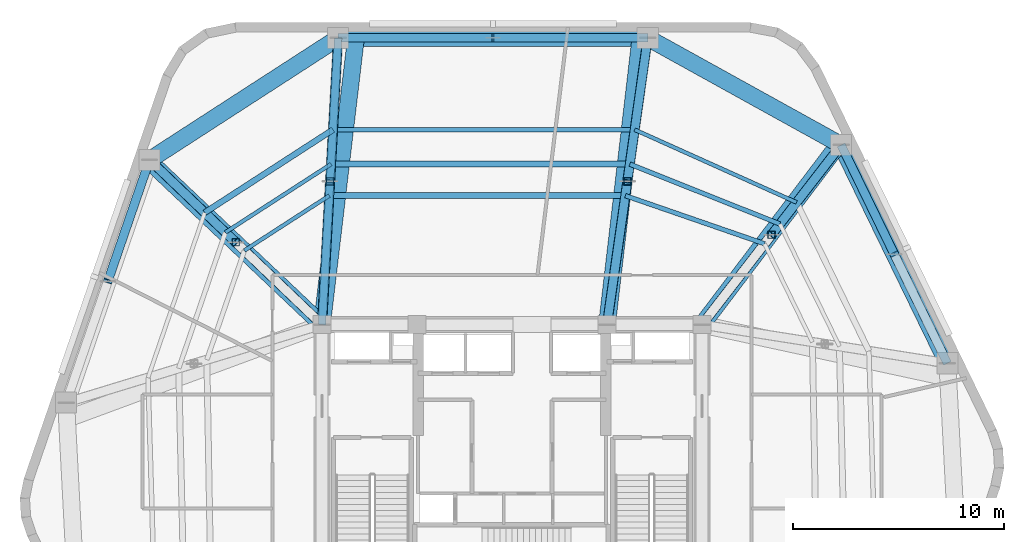
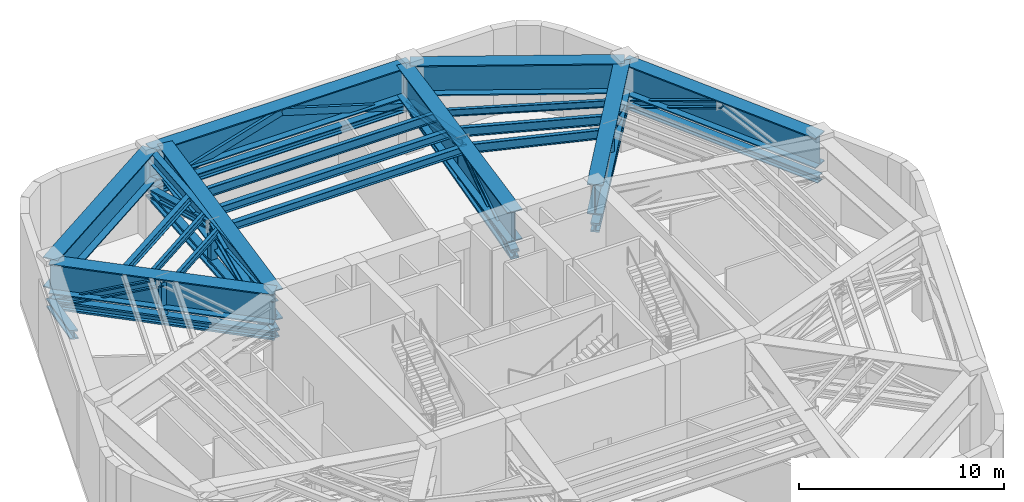
# One storey, part 4 of 10: 20 members, 18 beams.
"""IFC4 building model written with IfcOpenShell, lengths in metres."""

import ifcopenshell
import ifcopenshell.guid

model = None  # the IFC model being written
_history = None  # IfcOwnerHistory: only IFC2X3 demands one
_inside = {}  # id of a spatial element -> (the spatial element, [elements in it])
_under = {}  # id of a project, library or spatial element -> (it, [spatial elements below it])
_declared = {}  # id of a project -> (the project, [libraries it declares])
_typed = {}  # id of a type object -> (the type object, [elements of that type])
_made_of = {}  # id of a material, layer set ... -> (it, [elements and type objects made of it])


def new_model(schema):
    """Start an empty IFC model of exactly this schema.

    Asked for "IFC4X3", IfcOpenShell would pick the latest addendum, in which some entities
    have other attributes; the version numbers below select the first issue.
    IFC2X3 requires an IfcOwnerHistory on every rooted entity: one is made here for all.
    """
    global model, _history
    if schema == "IFC4X3":
        model = ifcopenshell.file(schema_version=(4, 3, 0, 0))
    else:
        model = ifcopenshell.file(schema=schema)
    _inside.clear()
    _under.clear()
    _declared.clear()
    _typed.clear()
    _made_of.clear()
    _history = None
    if model.schema == "IFC2X3":
        org = make("IfcOrganization", Name="unknown")
        user = make(
            "IfcPersonAndOrganization",
            ThePerson=make("IfcPerson", FamilyName="unknown"),
            TheOrganization=org,
        )
        app = make(
            "IfcApplication",
            ApplicationDeveloper=org,
            Version="unknown",
            ApplicationFullName="unknown",
            ApplicationIdentifier="unknown",
        )
        _history = make(
            "IfcOwnerHistory",
            OwningUser=user,
            OwningApplication=app,
            ChangeAction="ADDED",
            CreationDate=0,
        )
    return model


def make(cls, **values):
    """One entity of the class cls with the attributes given. An attribute that is None is left unset."""
    return model.create_entity(
        cls, **{name: value for name, value in values.items() if value is not None}
    )


def rooted(cls, **values):
    """An entity with a GlobalId (a new one), such as an element, a storey or a relation."""
    return make(cls, GlobalId=ifcopenshell.guid.new(), OwnerHistory=_history, **values)


def si_unit(unit_type, name, prefix=None):
    """IfcSIUnit, for example si_unit("LENGTHUNIT", "METRE", prefix="MILLI")."""
    return make("IfcSIUnit", UnitType=unit_type, Prefix=prefix, Name=name)


def assignment(units):
    """IfcUnitAssignment: the units of a project."""
    return None if units is None else make("IfcUnitAssignment", Units=units)


def point(xyz):
    """IfcCartesianPoint."""
    return None if xyz is None else make("IfcCartesianPoint", Coordinates=xyz)


def direction(xyz):
    """IfcDirection."""
    return None if xyz is None else make("IfcDirection", DirectionRatios=xyz)


def frame(location, z_axis=None, x_axis=None):
    """IfcAxis2Placement3D, a coordinate frame: its origin and axes. An axis left out is left unset."""
    return make(
        "IfcAxis2Placement3D",
        Location=point(location),
        Axis=direction(z_axis),
        RefDirection=direction(x_axis),
    )


def frame_2d(location, x_axis=None):
    """IfcAxis2Placement2D, a coordinate frame in the plane: its origin and x axis."""
    return make(
        "IfcAxis2Placement2D", Location=point(location), RefDirection=direction(x_axis)
    )


def origin():
    """The frame at (0, 0, 0) with its axes left unset."""
    return frame((0.0, 0.0, 0.0))


def origin_2d():
    """The frame at (0, 0) in the plane with its x axis left unset."""
    return frame_2d((0.0, 0.0))


def place(relative_to, where):
    """IfcLocalPlacement: puts the frame where relative to a parent placement (None: the world)."""
    return make(
        "IfcLocalPlacement", PlacementRelTo=relative_to, RelativePlacement=where
    )


def context(
    kind, dimensions, precision=None, world=None, true_north=None, identifier=None
):
    """IfcGeometricRepresentationContext, for example the 3D "Model" context."""
    return make(
        "IfcGeometricRepresentationContext",
        ContextIdentifier=identifier,
        ContextType=kind,
        CoordinateSpaceDimension=dimensions,
        Precision=precision,
        WorldCoordinateSystem=world,
        TrueNorth=true_north,
    )


def subcontext(parent, identifier, kind, view, scale=None):
    """IfcGeometricRepresentationSubContext, for example "Body" below "Model"."""
    return make(
        "IfcGeometricRepresentationSubContext",
        ContextIdentifier=identifier,
        ContextType=kind,
        ParentContext=parent,
        TargetScale=scale,
        TargetView=view,
    )


def project(units=None, contexts=None):
    """IfcProject with its units and contexts."""
    return rooted(
        "IfcProject",
        Name="project",
        RepresentationContexts=contexts,
        UnitsInContext=assignment(units),
    )


def spatial(cls, under=None, at=None, **own):
    """A site, building, storey or space (cls), placed at a placement, below another one or the project."""
    s = rooted(cls, ObjectPlacement=at, **own)
    if under is not None:
        _under.setdefault(under.id(), (under, []))[1].append(s)
    return s


def profile(cls, at=None, kind="AREA", **sizes):
    """A parametric profile (cls). Its sizes go by their IFC names, for example OverallWidth=200.0."""
    return make(cls, ProfileType=kind, Position=at, **sizes)


def hollow_rectangle(**sizes):
    """IfcRectangleHollowProfileDef."""
    return profile("IfcRectangleHollowProfileDef", **sizes)


def i_section(**sizes):
    """IfcIShapeProfileDef."""
    return profile("IfcIShapeProfileDef", **sizes)


def extrude(swept, where, along, depth):
    """IfcExtrudedAreaSolid: the profile swept, set in the frame where, extruded along a direction by depth."""
    return make(
        "IfcExtrudedAreaSolid",
        SweptArea=swept,
        Position=where,
        ExtrudedDirection=direction(along),
        Depth=depth,
    )


def shape(context_of_items, identifier, shape_type, items):
    """IfcShapeRepresentation: the items that make up one representation, for example the "Body"."""
    return make(
        "IfcShapeRepresentation",
        ContextOfItems=context_of_items,
        RepresentationIdentifier=identifier,
        RepresentationType=shape_type,
        Items=items,
    )


def material(Name=None, Category=None):
    """IfcMaterial."""
    return make("IfcMaterial", Name=Name, Category=Category)


def material_profile(
    of_material, cross_section, Name=None, Category=None, Priority=None
):
    """IfcMaterialProfile: a cross section and its material."""
    return make(
        "IfcMaterialProfile",
        Name=Name,
        Material=of_material,
        Profile=cross_section,
        Priority=Priority,
        Category=Category,
    )


def profile_set(profiles, Name=None, composite=None):
    """IfcMaterialProfileSet."""
    return make(
        "IfcMaterialProfileSet",
        Name=Name,
        MaterialProfiles=profiles,
        CompositeProfile=composite,
    )


def made_of(thing, what):
    """Note that an element or type object is made of a material, layer set ...; save() writes the relation."""
    if what is not None:
        _made_of.setdefault(what.id(), (what, []))[1].append(thing)
    return thing


def type_object(cls, material=None, **own):
    """A type object (cls), such as IfcWallType, which elements share."""
    return made_of(rooted(cls, **own), material)


def element(
    cls,
    number,
    at=None,
    inside=None,
    cuts=None,
    type_object=None,
    material=None,
    context=None,
    identifier="Body",
    shape_type=None,
    held_by="IfcProductDefinitionShape",
    body=None,
    shapes=None,
    **own,
):
    """One element of the class cls, such as IfcWall. Its Tag is "e" and its number.

    at: its placement. inside: the storey or other place that contains it. cuts: it is an
    opening in that element (IfcRelVoidsElement). A single representation is given by context,
    identifier, shape_type and body (its items); several are given by shapes. held_by: the class
    of the entity that holds the representations. save() writes the other relations.
    """
    e = rooted(cls, Tag="e%d" % number, ObjectPlacement=at, **own)
    if body is not None:
        shapes = [shape(context, identifier, shape_type, body)]
    if shapes is not None:
        e.Representation = make(held_by, Representations=shapes)
    if inside is not None:
        _inside.setdefault(inside.id(), (inside, []))[1].append(e)
    if cuts is not None:
        rooted(
            "IfcRelVoidsElement", RelatingBuildingElement=cuts, RelatedOpeningElement=e
        )
    if type_object is not None:
        _typed.setdefault(type_object.id(), (type_object, []))[1].append(e)
    return made_of(e, material)


def aggregate(whole, parts):
    """IfcRelAggregates: a whole, such as a stair, and the parts it consists of."""
    return rooted("IfcRelAggregates", RelatingObject=whole, RelatedObjects=parts)


def save(model, path):
    """Write the relations noted so far, then the file.

    IfcRelAggregates (storeys below a building ...), IfcRelContainedInSpatialStructure (elements
    in a storey), IfcRelDefinesByType, IfcRelAssociatesMaterial and IfcRelDeclares: one each for
    every whole, place, type object, material and project.
    """
    for whole, parts in _under.values():
        aggregate(whole, parts)
    for where, things in _inside.values():
        rooted(
            "IfcRelContainedInSpatialStructure",
            RelatedElements=things,
            RelatingStructure=where,
        )
    for kind, things in _typed.values():
        rooted("IfcRelDefinesByType", RelatedObjects=things, RelatingType=kind)
    for what, things in _made_of.values():
        rooted("IfcRelAssociatesMaterial", RelatedObjects=things, RelatingMaterial=what)
    for by, libraries in _declared.values():
        rooted("IfcRelDeclares", RelatingContext=by, RelatedDefinitions=libraries)
    model.write(path)


model = new_model("IFC4")

# Units and contexts
model_context = context("Model", 3, precision=1e-05, world=origin(), true_north=direction((0.0, 1.0)))
body_context = subcontext(model_context, "Body", "Model", "MODEL_VIEW")
ifc_project = project(units=[si_unit("LENGTHUNIT", "METRE"), si_unit("AREAUNIT", "SQUARE_METRE"), si_unit("VOLUMEUNIT", "CUBIC_METRE"), si_unit("PLANEANGLEUNIT", "RADIAN"), si_unit("MASSUNIT", "GRAM", prefix="KILO")], contexts=[model_context])

# Site, building, storey
site_placement = place(None, origin())
site = spatial("IfcSite", under=ifc_project, at=site_placement, CompositionType="ELEMENT")
building_placement = place(site_placement, origin())
building = spatial("IfcBuilding", under=site, at=building_placement, Name="Kilnhurst Terrace Hotel", CompositionType="ELEMENT")
storey_placement = place(building_placement, frame((0.0, 0.0, 255.89990234375)))
storey = spatial("IfcBuildingStorey", under=building, at=storey_placement, Name="L64", CompositionType="ELEMENT", Elevation=255.89990234375)

# Beams
ifc_material_1 = material(Name="Steel ASTM A992 Grade 50", Category="steel")
ifc_material_profile_1 = material_profile(ifc_material_1, i_section(OverallWidth=0.354736328125, OverallDepth=0.695556640625, WebThickness=0.015380859375, FlangeThickness=0.025146484375, at=origin_2d()), Name="W27X146")
ifc_profile_set_1 = profile_set([ifc_material_profile_1], Name="Steel ASTM A992 Grade 50")
beam_type_1 = type_object("IfcBeamType", Name="BM-STL-W27X146", PredefinedType="BEAM", material=ifc_profile_set_1)
beam_1_placement = place(storey_placement, frame((-9.0, 7.5, 4.752197265625), z_axis=(0.056163905291, 0.998421562138, 0.0), x_axis=(-0.998421562138, 0.056163905291, 0.0)))
element("IfcBeam", 1, at=beam_1_placement, inside=storey, type_object=beam_type_1, Name="L64 Radial Floor Beam 8", PredefinedType="BEAM", context=body_context, shape_type="SweptSolid", body=[
    extrude(i_section(OverallWidth=0.354736328125, OverallDepth=0.695556640625, WebThickness=0.015380859375, FlangeThickness=0.025146484375, at=origin_2d()), origin(), (0.0, 0.0, 1.0), 13.6015625),
])
ifc_material_profile_2 = material_profile(ifc_material_1, i_section(OverallWidth=0.180908203125, OverallDepth=0.417236328125, WebThickness=0.010986328125, FlangeThickness=0.018310546875, at=origin_2d()), Name="W16X57")
ifc_profile_set_2 = profile_set([ifc_material_profile_2], Name="Steel ASTM A992 Grade 50")
beam_type_2 = type_object("IfcBeamType", Name="JST-STL-W16X57", PredefinedType="JOIST", material=ifc_profile_set_2)
beam_2_placement = place(storey_placement, frame((13.479248046875, 13.288818359375, 4.89111328125), z_axis=(-0.912120852375, 0.409921395713, 0.0), x_axis=(-0.409921395713, -0.912120852375, 0.0)))
element("IfcBeam", 2, at=beam_2_placement, inside=storey, type_object=beam_type_2, Name="L64 Secondary Floor Steel Joist OUT.6", PredefinedType="JOIST", context=body_context, shape_type="SweptSolid", body=[
    extrude(i_section(OverallWidth=0.180908203125, OverallDepth=0.417236328125, WebThickness=0.010986328125, FlangeThickness=0.018310546875, at=origin_2d()), origin(), (0.0, 0.0, 1.0), 8.405517578125),
])
beam_3_placement = place(storey_placement, frame((-8.65625, 13.611083984375, 4.89111328125), z_axis=(-0.839653632344, -0.543122249306, 0.0), x_axis=(0.543122249306, -0.839653632344, 0.0)))
element("IfcBeam", 3, at=beam_3_placement, inside=storey, type_object=beam_type_2, Name="L64 Secondary Floor Steel Joist IN.8", PredefinedType="JOIST", context=body_context, shape_type="SweptSolid", body=[
    extrude(i_section(OverallWidth=0.180908203125, OverallDepth=0.417236328125, WebThickness=0.010986328125, FlangeThickness=0.018310546875, at=origin_2d()), origin(), (0.0, 0.0, 1.0), 4.785888671875),
])
beam_4_placement = place(storey_placement, frame((-8.572265625, 15.104736328125, 4.89111328125), z_axis=(-0.83965813096, -0.543115294493, 0.0), x_axis=(0.543115294493, -0.83965813096, 0.0)))
element("IfcBeam", 4, at=beam_4_placement, inside=storey, type_object=beam_type_2, Name="L64 Secondary Floor Steel Joist MID.8", PredefinedType="JOIST", context=body_context, shape_type="SweptSolid", body=[
    extrude(i_section(OverallWidth=0.180908203125, OverallDepth=0.417236328125, WebThickness=0.010986328125, FlangeThickness=0.018310546875, at=origin_2d()), origin(), (0.0, 0.0, 1.0), 5.95556640625),
])
ifc_material_profile_3 = material_profile(ifc_material_1, i_section(OverallWidth=0.279296875, OverallDepth=0.462890625, WebThickness=0.0107421875, FlangeThickness=0.017333984375, at=origin_2d()), Name="W18X76")
ifc_profile_set_3 = profile_set([ifc_material_profile_3], Name="Steel ASTM A992 Grade 50")
beam_type_3 = type_object("IfcBeamType", Name="JST-STL-W18X76", PredefinedType="JOIST", material=ifc_profile_set_3)
beam_5_placement = place(storey_placement, frame((-8.48046875, 16.734375, 4.8681640625), z_axis=(-0.839667054453, -0.543101498494, 0.0), x_axis=(0.543101498494, -0.839667054453, 0.0)))
element("IfcBeam", 5, at=beam_5_placement, inside=storey, type_object=beam_type_3, Name="L64 Secondary Floor Steel Joist OUT.8", PredefinedType="JOIST", context=body_context, shape_type="SweptSolid", body=[
    extrude(i_section(OverallWidth=0.279296875, OverallDepth=0.462890625, WebThickness=0.0107421875, FlangeThickness=0.017333984375, at=origin_2d()), origin(), (0.0, 0.0, 1.0), 7.23193359375),
])
beam_6_placement = place(storey_placement, frame((5.368408203125, 13.611083984375, 4.8681640625), z_axis=(-1.0, 0.0, 0.0), x_axis=(0.0, -1.0, 0.0)))
element("IfcBeam", 6, at=beam_6_placement, inside=storey, type_object=beam_type_3, Name="L64 Secondary Floor Steel Joist IN.7", PredefinedType="JOIST", context=body_context, shape_type="SweptSolid", body=[
    extrude(i_section(OverallWidth=0.279296875, OverallDepth=0.462890625, WebThickness=0.0107421875, FlangeThickness=0.017333984375, at=origin_2d()), origin(), (0.0, 0.0, 1.0), 14.024658203125),
])
beam_7_placement = place(storey_placement, frame((5.580810546875, 15.104736328125, 4.8681640625), z_axis=(-1.0, 0.0, 0.0), x_axis=(0.0, -1.0, 0.0)))
element("IfcBeam", 7, at=beam_7_placement, inside=storey, type_object=beam_type_3, Name="L64 Secondary Floor Steel Joist MID.7", PredefinedType="JOIST", context=body_context, shape_type="SweptSolid", body=[
    extrude(i_section(OverallWidth=0.279296875, OverallDepth=0.462890625, WebThickness=0.0107421875, FlangeThickness=0.017333984375, at=origin_2d()), origin(), (0.0, 0.0, 1.0), 14.153076171875),
])
ifc_material_profile_4 = material_profile(ifc_material_1, i_section(OverallWidth=0.2138671875, OverallDepth=0.549072265625, WebThickness=0.0146484375, FlangeThickness=0.023681640625, at=origin_2d()), Name="W21X93")
ifc_profile_set_4 = profile_set([ifc_material_profile_4], Name="Steel ASTM A992 Grade 50")
beam_type_4 = type_object("IfcBeamType", Name="JST-STL-W21X93", PredefinedType="JOIST", material=ifc_profile_set_4)
beam_8_placement = place(storey_placement, frame((5.8125, 16.734375, 4.8251953125), z_axis=(-1.0, 0.0, 0.0), x_axis=(0.0, -1.0, 0.0)))
element("IfcBeam", 8, at=beam_8_placement, inside=storey, type_object=beam_type_4, Name="L64 Secondary Floor Steel Joist OUT.7", PredefinedType="JOIST", context=body_context, shape_type="SweptSolid", body=[
    extrude(i_section(OverallWidth=0.2138671875, OverallDepth=0.549072265625, WebThickness=0.0146484375, FlangeThickness=0.023681640625, at=origin_2d()), origin(), (0.0, 0.0, 1.0), 14.29296875),
])
beam_9_placement = place(storey_placement, frame((11.964111328125, 11.330810546875, 4.8251953125), z_axis=(-0.94511244231, 0.326745269884, 0.0), x_axis=(-0.326745269884, -0.94511244231, 0.0)))
element("IfcBeam", 9, at=beam_9_placement, inside=storey, type_object=beam_type_4, Name="L64 Secondary Floor Steel Joist IN.6", PredefinedType="JOIST", context=body_context, shape_type="SweptSolid", body=[
    extrude(i_section(OverallWidth=0.2138671875, OverallDepth=0.549072265625, WebThickness=0.0146484375, FlangeThickness=0.023681640625, at=origin_2d()), origin(), (0.0, 0.0, 1.0), 6.978759765625),
])
beam_10_placement = place(storey_placement, frame((12.688720703125, 12.267333984375, 4.8251953125), z_axis=(-0.928736063912, 0.370741585999, 0.0), x_axis=(-0.370741585999, -0.928736063912, 0.0)))
element("IfcBeam", 10, at=beam_10_placement, inside=storey, type_object=beam_type_4, Name="L64 Secondary Floor Steel Joist MID.6", PredefinedType="JOIST", context=body_context, shape_type="SweptSolid", body=[
    extrude(i_section(OverallWidth=0.2138671875, OverallDepth=0.549072265625, WebThickness=0.0146484375, FlangeThickness=0.023681640625, at=origin_2d()), origin(), (0.0, 0.0, 1.0), 7.6533203125),
])

# Members
ifc_material_profile_5 = material_profile(ifc_material_1, i_section(OverallWidth=0.41845703125, OverallDepth=0.455078125, WebThickness=0.0419921875, FlangeThickness=0.067626953125, at=origin_2d()), Name="W14X370")
ifc_profile_set_5 = profile_set([ifc_material_profile_5], Name="Steel ASTM A992 Grade 50")
member_type_1 = type_object("IfcMemberType", Name="MEM-BLT-DIAG-370", PredefinedType="BRACE", material=ifc_profile_set_5)
member_1_placement = place(storey_placement, frame((15.5869140625, 16.012939453125, 2.52001953125), z_axis=(0.408152755243, -0.838307927776, 0.361456977545), x_axis=(0.899096962438, 0.437749531278, 0.0)))
element("IfcMember", 11, at=member_1_placement, inside=storey, type_object=member_type_1, Name="L64 Belt Truss Right Diagonal 3", PredefinedType="BRACE", context=body_context, shape_type="SweptSolid", body=[
    extrude(i_section(OverallWidth=0.41845703125, OverallDepth=0.455078125, WebThickness=0.0419921875, FlangeThickness=0.067626953125, at=origin_2d()), origin(), (0.0, 0.0, 1.0), 6.16943359375),
])
member_2_placement = place(storey_placement, frame((-17.166015625, 15.303955078125, 2.52001953125), z_axis=(-0.305213964138, -0.887812894942, 0.344430979545), x_axis=(0.945677337851, -0.325106709674, 0.0)))
element("IfcMember", 12, at=member_2_placement, inside=storey, type_object=member_type_1, Name="L64 Belt Truss Left Diagonal 5", PredefinedType="BRACE", context=body_context, shape_type="SweptSolid", body=[
    extrude(i_section(OverallWidth=0.41845703125, OverallDepth=0.455078125, WebThickness=0.0419921875, FlangeThickness=0.067626953125, at=origin_2d()), origin(), (0.0, 0.0, 1.0), 6.474365234375),
])
ifc_material_2 = material(Name="Steel ASTM A500 Grade C", Category="steel")
ifc_material_profile_6 = material_profile(ifc_material_2, hollow_rectangle(XDim=0.39990234375, YDim=0.39990234375, WallThickness=0.01611328125, at=origin_2d()), Name="HSS400X400X16")
ifc_profile_set_6 = profile_set([ifc_material_profile_6], Name="Steel ASTM A500 Grade C")
member_type_2 = type_object("IfcMemberType", Name="MEM-BLT-HSS-400", PredefinedType="BRACE", material=ifc_profile_set_6)
for number, where, z_axis, x_axis, name in (
    (13, (6.429931640625, 21.080078125, 2.52001953125), (-0.956739436055, 0.0, 0.290946131606), (0.0, -1.0, 0.0), "L64 Belt Truss Left Diagonal 4"),
    (14, (-8.236083984375, 21.080078125, 2.52001953125), (0.956739436055, 0.0, 0.290946131606), (0.0, 1.0, 0.0), "L64 Belt Truss Right Diagonal 4"),
):
    element("IfcMember", number, at=place(storey_placement, frame(where, z_axis=z_axis, x_axis=x_axis)), inside=storey, type_object=member_type_2, Name=name, PredefinedType="BRACE", context=body_context, shape_type="SweptSolid", body=[
        extrude(hollow_rectangle(XDim=0.39990234375, YDim=0.39990234375, WallThickness=0.01611328125, at=origin_2d()), origin(), (0.0, 0.0, 1.0), 7.66455078125),
    ])
ifc_material_profile_7 = material_profile(ifc_material_1, i_section(OverallWidth=0.40625, OverallDepth=0.416015625, WebThickness=0.02978515625, FlangeThickness=0.048095703125, at=origin_2d()), Name="W14X257")
ifc_profile_set_7 = profile_set([ifc_material_profile_7], Name="Steel ASTM A992 Grade 50")
member_type_3 = type_object("IfcMemberType", Name="MEM-CHD-W14X257", PredefinedType="CHORD", material=ifc_profile_set_7)
member_3_placement = place(storey_placement, frame((20.6220703125, 5.669921875, 2.52001953125), z_axis=(-0.437705964683, 0.899118172701, 0.0), x_axis=(-0.899118172701, -0.437705964683, 0.0)))
element("IfcMember", 15, at=member_3_placement, inside=storey, type_object=member_type_3, Name="L64 Belt Truss Bottom Chord 3", PredefinedType="CHORD", context=body_context, shape_type="SweptSolid", body=[
    extrude(i_section(OverallWidth=0.40625, OverallDepth=0.416015625, WebThickness=0.02978515625, FlangeThickness=0.048095703125, at=origin_2d()), origin(), (0.0, 0.0, 1.0), 11.50341796875),
])
member_4_placement = place(storey_placement, frame((6.429931640625, 21.080078125, 2.52001953125), z_axis=(-1.0, 0.0, 0.0), x_axis=(0.0, -1.0, 0.0)))
element("IfcMember", 16, at=member_4_placement, inside=storey, type_object=member_type_3, Name="L64 Belt Truss Bottom Chord 4", PredefinedType="CHORD", context=body_context, shape_type="SweptSolid", body=[
    extrude(i_section(OverallWidth=0.40625, OverallDepth=0.416015625, WebThickness=0.02978515625, FlangeThickness=0.048095703125, at=origin_2d()), origin(), (0.0, 0.0, 1.0), 14.666015625),
])
ifc_material_profile_8 = material_profile(ifc_material_1, i_section(OverallWidth=0.44189453125, OverallDepth=0.531494140625, WebThickness=0.06591796875, FlangeThickness=0.105712890625, at=origin_2d()), Name="W14X605")
ifc_profile_set_8 = profile_set([ifc_material_profile_8], Name="Steel ASTM A992 Grade 50")
member_type_4 = type_object("IfcMemberType", Name="MEM-CHD-W14X605", PredefinedType="CHORD", material=ifc_profile_set_8)
member_5_placement = place(storey_placement, frame((9.0, 7.5, 2.52001953125), z_axis=(0.611955412533, 0.790892263884, 0.0), x_axis=(-0.790892263884, 0.611955412533, 0.0)))
element("IfcMember", 17, at=member_5_placement, inside=storey, type_object=member_type_4, Name="L64 Outrigger Bottom Chord 6", PredefinedType="CHORD", context=body_context, shape_type="SweptSolid", body=[
    extrude(i_section(OverallWidth=0.44189453125, OverallDepth=0.531494140625, WebThickness=0.06591796875, FlangeThickness=0.105712890625, at=origin_2d()), origin(), (0.0, 0.0, 1.0), 10.763671875),
])
member_6_placement = place(storey_placement, frame((4.5, 7.5, 2.52001953125), z_axis=(0.140701170889, 0.990052109997, 0.0), x_axis=(-0.990052109997, 0.140701170889, 0.0)))
element("IfcMember", 18, at=member_6_placement, inside=storey, type_object=member_type_4, Name="L64 Outrigger Bottom Chord 7", PredefinedType="CHORD", context=body_context, shape_type="SweptSolid", body=[
    extrude(i_section(OverallWidth=0.44189453125, OverallDepth=0.531494140625, WebThickness=0.06591796875, FlangeThickness=0.105712890625, at=origin_2d()), origin(), (0.0, 0.0, 1.0), 13.716552734375),
])
member_7_placement = place(storey_placement, frame((-9.0, 7.5, 2.52001953125), z_axis=(0.056163905291, 0.998421562138, 0.0), x_axis=(-0.998421562138, 0.056163905291, 0.0)))
element("IfcMember", 19, at=member_7_placement, inside=storey, type_object=member_type_4, Name="L64 Outrigger Bottom Chord 8", PredefinedType="CHORD", context=body_context, shape_type="SweptSolid", body=[
    extrude(i_section(OverallWidth=0.44189453125, OverallDepth=0.531494140625, WebThickness=0.06591796875, FlangeThickness=0.105712890625, at=origin_2d()), origin(), (0.0, 0.0, 1.0), 13.6015625),
])
member_8_placement = place(storey_placement, frame((-9.0, 7.5, 2.52001953125), z_axis=(-0.722952064528, 0.690898192497, 0.0), x_axis=(-0.690898192497, -0.722952064528, 0.0)))
element("IfcMember", 20, at=member_8_placement, inside=storey, type_object=member_type_4, Name="L64 Outrigger Bottom Chord 9", PredefinedType="CHORD", context=body_context, shape_type="SweptSolid", body=[
    extrude(i_section(OverallWidth=0.44189453125, OverallDepth=0.531494140625, WebThickness=0.06591796875, FlangeThickness=0.105712890625, at=origin_2d()), origin(), (0.0, 0.0, 1.0), 11.29541015625),
])
ifc_material_profile_9 = material_profile(ifc_material_1, i_section(OverallWidth=0.424072265625, OverallDepth=0.47412109375, WebThickness=0.047607421875, FlangeThickness=0.0771484375, at=origin_2d()), Name="W14X426")
ifc_profile_set_9 = profile_set([ifc_material_profile_9], Name="Steel ASTM A992 Grade 50")
member_type_5 = type_object("IfcMemberType", Name="MEM-OTR-DIAG-426", PredefinedType="BRACE", material=ifc_profile_set_9)
member_9_placement = place(storey_placement, frame((12.29296875, 11.757080078125, 4.75), z_axis=(0.56544582423, 0.730570086568, -0.382803302588), x_axis=(-0.790805871388, 0.612067050067, 0.0)))
element("IfcMember", 21, at=member_9_placement, inside=storey, type_object=member_type_5, Name="L64 Outrigger Outer Diagonal 6", PredefinedType="BRACE", context=body_context, shape_type="SweptSolid", body=[
    extrude(i_section(OverallWidth=0.424072265625, OverallDepth=0.47412109375, WebThickness=0.047607421875, FlangeThickness=0.0771484375, at=origin_2d()), origin(), (0.0, 0.0, 1.0), 5.825439453125),
])
for number, where, z_axis, x_axis, name in (
    (22, (4.5, 7.5, 2.52001953125), (0.133822238745, 0.941528991647, 0.309216374576), (-0.990049630421, 0.140718617469, 0.0), "L64 Outrigger Inner Diagonal 7"),
    (23, (5.465087890625, 14.2900390625, 4.75), (0.133788991442, 0.941533256573, -0.30921777526), (-0.990054589279, 0.140683724178, 0.0), "L64 Outrigger Outer Diagonal 7"),
):
    element("IfcMember", number, at=place(storey_placement, frame(where, z_axis=z_axis, x_axis=x_axis)), inside=storey, type_object=member_type_5, Name=name, PredefinedType="BRACE", context=body_context, shape_type="SweptSolid", body=[
        extrude(i_section(OverallWidth=0.424072265625, OverallDepth=0.47412109375, WebThickness=0.047607421875, FlangeThickness=0.0771484375, at=origin_2d()), origin(), (0.0, 0.0, 1.0), 7.211669921875),
    ])
for number, where, z_axis, x_axis, name in (
    (24, (-9.0, 7.5, 2.52001953125), (0.053385101405, 0.948719770149, 0.311577965646), (-0.998420555458, 0.056181798119, 0.0), "L64 Outrigger Inner Diagonal 8"),
    (25, (-8.617919921875, 14.2900390625, 4.75), (0.053351086644, 0.948721497284, -0.31157853287), (-0.9984225685, 0.05614601241, 0.0), "L64 Outrigger Outer Diagonal 8"),
):
    element("IfcMember", number, at=place(storey_placement, frame(where, z_axis=z_axis, x_axis=x_axis)), inside=storey, type_object=member_type_5, Name=name, PredefinedType="BRACE", context=body_context, shape_type="SweptSolid", body=[
        extrude(i_section(OverallWidth=0.424072265625, OverallDepth=0.47412109375, WebThickness=0.047607421875, FlangeThickness=0.0771484375, at=origin_2d()), origin(), (0.0, 0.0, 1.0), 7.156982421875),
    ])
member_10_placement = place(storey_placement, frame((-13.0830078125, 11.402099609375, 4.75), z_axis=(-0.672440709041, 0.642606279114, -0.367261028246), x_axis=(-0.690886895368, -0.722962860601, 0.0)))
element("IfcMember", 26, at=member_10_placement, inside=storey, type_object=member_type_5, Name="L64 Outrigger Outer Diagonal 9", PredefinedType="BRACE", context=body_context, shape_type="SweptSolid", body=[
    extrude(i_section(OverallWidth=0.424072265625, OverallDepth=0.47412109375, WebThickness=0.047607421875, FlangeThickness=0.0771484375, at=origin_2d()), origin(), (0.0, 0.0, 1.0), 6.072021484375),
])
ifc_material_profile_10 = material_profile(ifc_material_2, hollow_rectangle(XDim=0.35009765625, YDim=0.35009765625, WallThickness=0.01611328125, at=origin_2d()), Name="HSS350X350X16")
ifc_profile_set_10 = profile_set([ifc_material_profile_10], Name="Steel ASTM A500 Grade C")
member_type_6 = type_object("IfcMemberType", Name="MEM-STR-HSS350", PredefinedType="STRUT", material=ifc_profile_set_10)
for number, where, z_axis, x_axis, name in (
    (27, (12.29296875, 11.757080078125, 2.52001953125), (0.0, 0.0, 1.0), (1.0, 0.0, 0.0), "L64 Outrigger Web Post 6"),
    (28, (5.465087890625, 14.2900390625, 2.52001953125), (0.0, 0.0, 1.0), (1.0, 0.0, 0.0), "L64 Outrigger Web Post 7"),
    (29, (-8.617919921875, 14.2900390625, 2.52001953125), (0.0, 0.0, 1.0), (1.0, 0.0, 0.0), "L64 Outrigger Web Post 8"),
    (30, (-13.0830078125, 11.402099609375, 2.52001953125), (0.0, 0.0, 1.0), (1.0, 0.0, 0.0), "L64 Outrigger Web Post 9"),
):
    element("IfcMember", number, at=place(storey_placement, frame(where, z_axis=z_axis, x_axis=x_axis)), inside=storey, type_object=member_type_6, Name=name, PredefinedType="STRUT", context=body_context, shape_type="SweptSolid", body=[
        extrude(hollow_rectangle(XDim=0.35009765625, YDim=0.35009765625, WallThickness=0.01611328125, at=origin_2d()), origin(), (0.0, 0.0, 1.0), 2.22998046875),
    ])

# Beams
ifc_material_3 = material(Name="Steel ASTM A572 Grade 50", Category="steel")
ifc_material_profile_11 = material_profile(ifc_material_3, i_section(OverallWidth=0.800048828125, OverallDepth=1.800048828125, WebThickness=0.0400390625, FlangeThickness=0.06494140625, at=origin_2d()), Name="PG1800X800")
ifc_profile_set_11 = profile_set([ifc_material_profile_11], Name="Steel ASTM A572 Grade 50")
beam_type_5 = type_object("IfcBeamType", Name="TG-STEP-1800", PredefinedType="USERDEFINED", material=ifc_profile_set_11)
beam_11_placement = place(storey_placement, frame((20.6220703125, 5.669921875, 4.2001953125), z_axis=(-0.437705964683, 0.899118172701, 0.0), x_axis=(-0.899118172701, -0.437705964683, 0.0)))
element("IfcBeam", 31, at=beam_11_placement, inside=storey, type_object=beam_type_5, Name="L64 Zone Step Perimeter Transfer Girder 5", ObjectType="GIRDER", PredefinedType="USERDEFINED", context=body_context, shape_type="SweptSolid", body=[
    extrude(i_section(OverallWidth=0.800048828125, OverallDepth=1.800048828125, WebThickness=0.0400390625, FlangeThickness=0.06494140625, at=origin_2d()), origin(), (0.0, 0.0, 1.0), 11.50341796875),
])
beam_12_placement = place(storey_placement, frame((15.5869140625, 16.012939453125, 4.2001953125), z_axis=(-0.874970333121, 0.484176534085, 0.0), x_axis=(-0.484176534085, -0.874970333121, 0.0)))
element("IfcBeam", 32, at=beam_12_placement, inside=storey, type_object=beam_type_5, Name="L64 Zone Step Perimeter Transfer Girder 6", ObjectType="GIRDER", PredefinedType="USERDEFINED", context=body_context, shape_type="SweptSolid", body=[
    extrude(i_section(OverallWidth=0.800048828125, OverallDepth=1.800048828125, WebThickness=0.0400390625, FlangeThickness=0.06494140625, at=origin_2d()), origin(), (0.0, 0.0, 1.0), 10.465576171875),
])
beam_13_placement = place(storey_placement, frame((6.429931640625, 21.080078125, 4.2001953125), z_axis=(-1.0, 0.0, 0.0), x_axis=(0.0, -1.0, 0.0)))
element("IfcBeam", 33, at=beam_13_placement, inside=storey, type_object=beam_type_5, Name="L64 Zone Step Perimeter Transfer Girder 7", ObjectType="GIRDER", PredefinedType="USERDEFINED", context=body_context, shape_type="SweptSolid", body=[
    extrude(i_section(OverallWidth=0.800048828125, OverallDepth=1.800048828125, WebThickness=0.0400390625, FlangeThickness=0.06494140625, at=origin_2d()), origin(), (0.0, 0.0, 1.0), 14.666015625),
])
beam_14_placement = place(storey_placement, frame((-8.236083984375, 21.080078125, 4.2001953125), z_axis=(-0.839658834217, -0.543114207254, 0.0), x_axis=(0.543114207254, -0.839658834217, 0.0)))
element("IfcBeam", 34, at=beam_14_placement, inside=storey, type_object=beam_type_5, Name="L64 Zone Step Perimeter Transfer Girder 8", ObjectType="GIRDER", PredefinedType="USERDEFINED", context=body_context, shape_type="SweptSolid", body=[
    extrude(i_section(OverallWidth=0.800048828125, OverallDepth=1.800048828125, WebThickness=0.0400390625, FlangeThickness=0.06494140625, at=origin_2d()), origin(), (0.0, 0.0, 1.0), 10.63525390625),
])
beam_15_placement = place(storey_placement, frame((9.0, 7.5, 4.2001953125), z_axis=(0.604008562492, 0.796977826816, 0.0), x_axis=(-0.796977826816, 0.604008562492, 0.0)))
element("IfcBeam", 35, at=beam_15_placement, inside=storey, type_object=beam_type_5, Name="L64 Zone Step Radial Transfer Girder 6", ObjectType="GIRDER", PredefinedType="USERDEFINED", context=body_context, shape_type="SweptSolid", body=[
    extrude(i_section(OverallWidth=0.800048828125, OverallDepth=1.800048828125, WebThickness=0.0400390625, FlangeThickness=0.06494140625, at=origin_2d()), origin(), (0.0, 0.0, 1.0), 10.747802734375),
])
beam_16_placement = place(storey_placement, frame((4.5, 7.5, 4.2001953125), z_axis=(0.115766774326, 0.993276423742, 0.0), x_axis=(-0.993276423742, 0.115766774326, 0.0)))
element("IfcBeam", 36, at=beam_16_placement, inside=storey, type_object=beam_type_5, Name="L64 Zone Step Radial Transfer Girder 7", ObjectType="GIRDER", PredefinedType="USERDEFINED", context=body_context, shape_type="SweptSolid", body=[
    extrude(i_section(OverallWidth=0.800048828125, OverallDepth=1.800048828125, WebThickness=0.0400390625, FlangeThickness=0.06494140625, at=origin_2d()), origin(), (0.0, 0.0, 1.0), 13.672119140625),
])
beam_17_placement = place(storey_placement, frame((-9.0, 7.5, 4.2001953125), z_axis=(0.117633629091, 0.993057062463, 0.0), x_axis=(-0.993057062463, 0.117633629091, 0.0)))
element("IfcBeam", 37, at=beam_17_placement, inside=storey, type_object=beam_type_5, Name="L64 Zone Step Radial Transfer Girder 8", ObjectType="GIRDER", PredefinedType="USERDEFINED", context=body_context, shape_type="SweptSolid", body=[
    extrude(i_section(OverallWidth=0.800048828125, OverallDepth=1.800048828125, WebThickness=0.0400390625, FlangeThickness=0.06494140625, at=origin_2d()), origin(), (0.0, 0.0, 1.0), 13.675048828125),
])
beam_18_placement = place(storey_placement, frame((-9.0, 7.5, 4.2001953125), z_axis=(-0.726249175078, 0.687431549828, 0.0), x_axis=(-0.687431549828, -0.726249175078, 0.0)))
element("IfcBeam", 38, at=beam_18_placement, inside=storey, type_object=beam_type_5, Name="L64 Zone Step Radial Transfer Girder 9", ObjectType="GIRDER", PredefinedType="USERDEFINED", context=body_context, shape_type="SweptSolid", body=[
    extrude(i_section(OverallWidth=0.800048828125, OverallDepth=1.800048828125, WebThickness=0.0400390625, FlangeThickness=0.06494140625, at=origin_2d()), origin(), (0.0, 0.0, 1.0), 11.270751953125),
])

save(model, "model.ifc")
